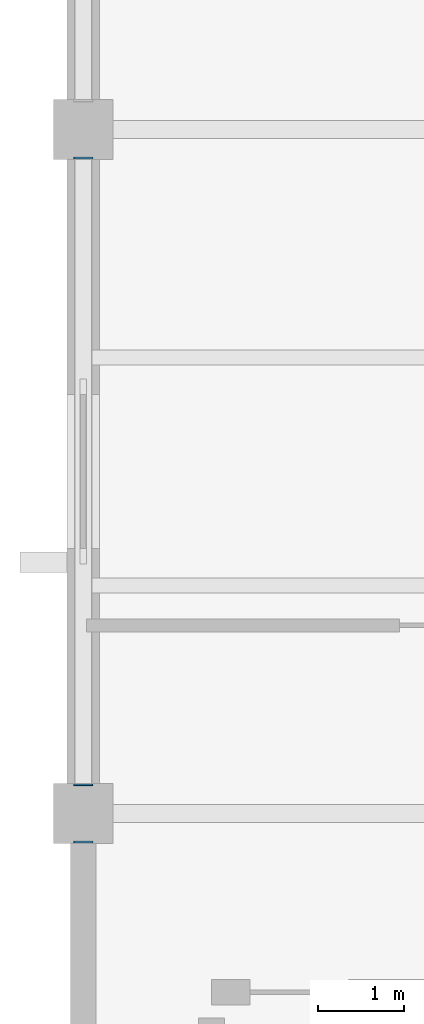
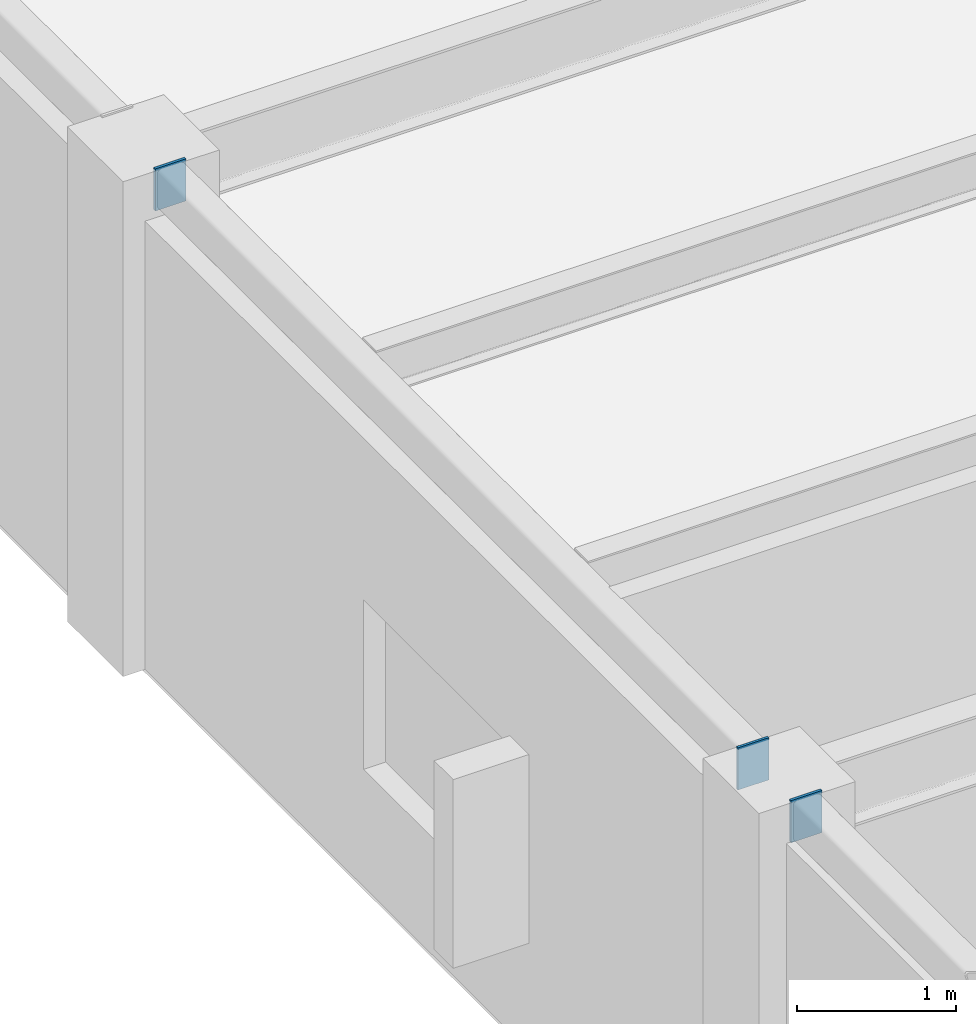
# One storey, part 100 of 138: 3 discrete accessories.
"""IFC4 building model written with IfcOpenShell, lengths in metres."""

from ifc_helpers import new_model, si_unit, direction, frame, origin, origin_2d, place, context, subcontext, project, spatial, rectangle, extrude, material, layer, layer_set, type_object, element, save


model = new_model("IFC4")

# Units and contexts
model_context = context("Model", 3, precision=1e-05, world=origin(), true_north=direction((0.0, 1.0)))
body_context = subcontext(model_context, "Body", "Model", "MODEL_VIEW")
ifc_project = project(units=[si_unit("LENGTHUNIT", "METRE"), si_unit("AREAUNIT", "SQUARE_METRE"), si_unit("VOLUMEUNIT", "CUBIC_METRE"), si_unit("PLANEANGLEUNIT", "RADIAN"), si_unit("MASSUNIT", "GRAM", prefix="KILO")], contexts=[model_context])

# Site, building, storey
site_placement = place(None, origin())
site = spatial("IfcSite", under=ifc_project, at=site_placement, CompositionType="ELEMENT")
building_placement = place(site_placement, origin())
building = spatial("IfcBuilding", under=site, at=building_placement, Name="Kranzveld Transit Interchange", CompositionType="ELEMENT")
storey_placement = place(building_placement, frame((0.0, 0.0, 5.43994140625)))
storey = spatial("IfcBuildingStorey", under=building, at=storey_placement, Name="L01", CompositionType="ELEMENT", Elevation=5.43994140625)

# Discrete accessories
ifc_material = material(Name="Steel S355JR", Category="steel")
ifc_layer = layer(ifc_material, 0.02001953125)
ifc_layer_set = layer_set([ifc_layer], Name="Steel S355JR")
discrete_accessory_type = type_object("IfcDiscreteAccessoryType", Name="Hollow Section End Cap Bracket 20 S355JR", PredefinedType="BRACKET", material=ifc_layer_set)
for number, where, z_axis, x_axis, name in (
    (1, (0.0, 87.656005859375, 3.650146484375), (0.0, 1.0, 0.0), (-1.0, 0.0, 0.0), "Hollow Section End Cap SP-RHS300-2"),
    (2, (0.0, 88.343994140625, 3.650146484375), (0.0, -1.0, 0.0), (1.0, 0.0, 0.0), "Hollow Section End Cap SP-RHS300-1"),
    (3, (0.0, 95.656005859375, 3.650146484375), (0.0, 1.0, 0.0), (-1.0, 0.0, 0.0), "Hollow Section End Cap SP-RHS300-2"),
):
    element("IfcDiscreteAccessory", number, at=place(storey_placement, frame(where, z_axis=z_axis, x_axis=x_axis)), inside=storey, type_object=discrete_accessory_type, Name=name, PredefinedType="BRACKET", context=body_context, shape_type="SweptSolid", body=[
        extrude(rectangle(XDim=0.22412109375, YDim=0.323974609375, at=origin_2d()), origin(), (0.0, 0.0, 1.0), 0.02001953125),
    ])

save(model, "model.ifc")
